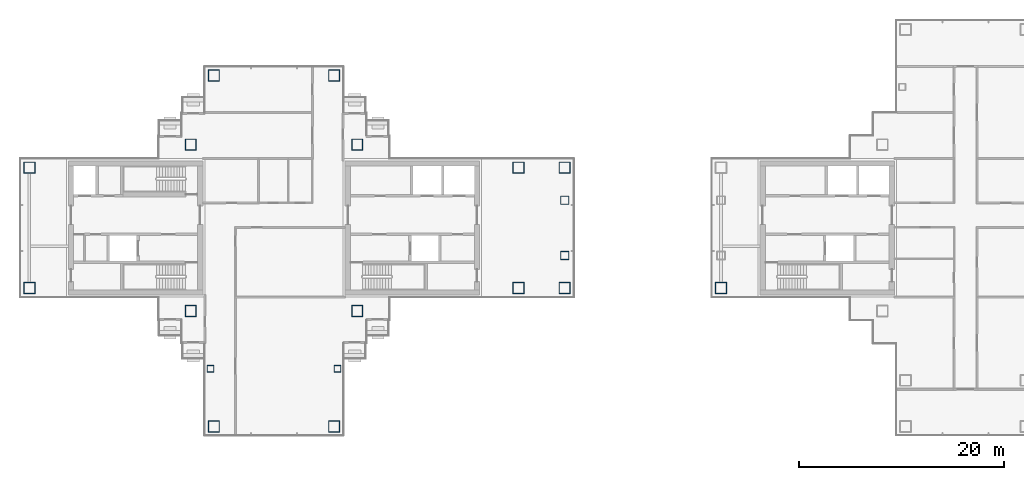
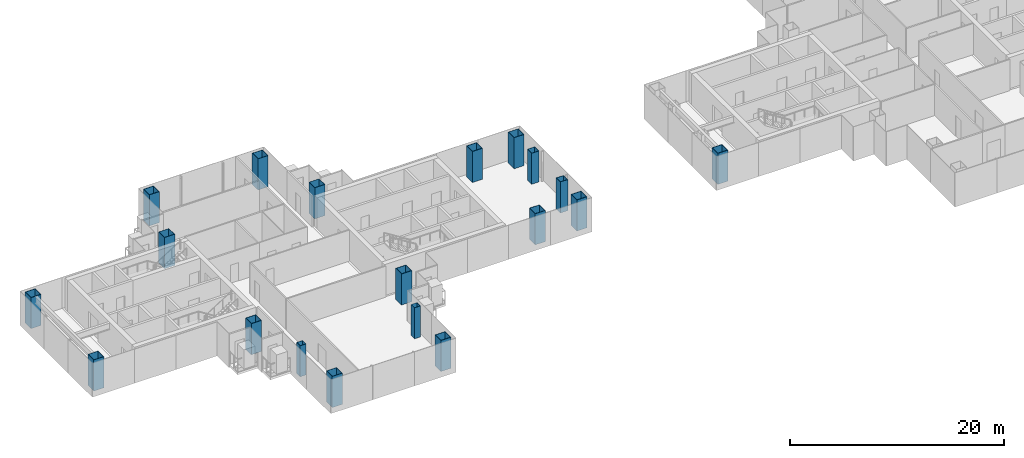
# One storey, part 1 of 16: 19 columns.
"""IFC4 building model written with IfcOpenShell, lengths in metres."""

from ifc_helpers import new_model, si_unit, direction, frame, origin, origin_2d, place, context, subcontext, project, spatial, hollow_rectangle, extrude, material, material_profile, profile_set, type_object, element, save


model = new_model("IFC4")

# Units and contexts
model_context = context("Model", 3, precision=1e-05, world=origin(), true_north=direction((0.0, 1.0)))
body_context = subcontext(model_context, "Body", "Model", "MODEL_VIEW")
ifc_project = project(units=[si_unit("LENGTHUNIT", "METRE"), si_unit("AREAUNIT", "SQUARE_METRE"), si_unit("VOLUMEUNIT", "CUBIC_METRE"), si_unit("PLANEANGLEUNIT", "RADIAN"), si_unit("MASSUNIT", "GRAM", prefix="KILO")], contexts=[model_context])

# Site, building, storey
site_placement = place(None, origin())
site = spatial("IfcSite", under=ifc_project, at=site_placement, CompositionType="ELEMENT")
building_placement = place(site_placement, origin())
building = spatial("IfcBuilding", under=site, at=building_placement, Name="Shamsa Quay Exchange Towers", CompositionType="ELEMENT")
storey_placement = place(building_placement, frame((0.0, 0.0, 150.60009765625)))
storey = spatial("IfcBuildingStorey", under=building, at=storey_placement, Name="L35", CompositionType="ELEMENT", Elevation=150.60009765625)

# Columns
ifc_material_1 = material(Name="Concrete-filled steel tube S355 / C80/95", Category="concrete")
ifc_material_profile_1 = material_profile(ifc_material_1, hollow_rectangle(XDim=1.10009765625, YDim=1.10009765625, WallThickness=0.0400390625, at=origin_2d()), Name="CFT 1100x1100x40")
ifc_profile_set_1 = profile_set([ifc_material_profile_1], Name="Concrete-filled steel tube S355 / C80/95")
column_type_1 = type_object("IfcColumnType", Name="Column CFT 1100x1100x40", PredefinedType="COLUMN", material=ifc_profile_set_1)
for number, where, name in (
    (1, (-25.625, 8.125, 0.0), "Mega column T1-CM01"),
    (2, (-25.625, -8.125, 0.0), "Mega column T1-CM02"),
    (3, (-41.875, 8.125, 0.0), "Mega column T1-CM03"),
    (4, (-41.875, -8.125, 0.0), "Mega column T1-CM04"),
    (5, (-9.875, -5.875, 0.0), "Mega column T1-CM05"),
    (6, (-5.375, -5.875, 0.0), "Mega column T1-CM06"),
    (7, (-9.875, 5.875, 0.0), "Mega column T1-CM07"),
    (8, (-5.375, 5.875, 0.0), "Mega column T1-CM08"),
    (9, (-57.625, -5.875, 0.0), "Mega column T1-CM09"),
    (10, (-57.625, 5.875, 0.0), "Mega column T1-CM11"),
    (11, (-39.625, 14.875, 0.0), "Mega column T1-CM13"),
    (12, (-27.875, 14.875, 0.0), "Mega column T1-CM16"),
    (13, (-39.625, -19.375, 0.0), "Mega column T1-CM20"),
    (14, (-27.875, -19.375, 0.0), "Mega column T1-CM23"),
    (15, (9.875, -5.875, 0.0), "Mega column T2-CM19"),
):
    element("IfcColumn", number, at=place(storey_placement, frame(where)), inside=storey, type_object=column_type_1, Name=name, PredefinedType="COLUMN", context=body_context, shape_type="SweptSolid", body=[
        extrude(hollow_rectangle(XDim=1.10009765625, YDim=1.10009765625, WallThickness=0.0400390625, at=origin_2d()), origin(), (0.0, 0.0, 1.0), 3.5498046875),
    ])
ifc_material_2 = material(Name="Concrete-filled steel tube S355 / C60/75", Category="concrete")
ifc_material_profile_2 = material_profile(ifc_material_2, hollow_rectangle(XDim=0.64990234375, YDim=0.64990234375, WallThickness=0.02001953125, at=origin_2d()), Name="CFT 650x650x20")
ifc_profile_set_2 = profile_set([ifc_material_profile_2], Name="Concrete-filled steel tube S355 / C60/75")
column_type_2 = type_object("IfcColumnType", Name="Column CFT 650x650x20", PredefinedType="COLUMN", material=ifc_profile_set_2)
for number, where, name in (
    (16, (-39.9375, -13.75, 0.0), "Perimeter column T1-CP19"),
    (17, (-27.5625, -13.75, 0.0), "Perimeter column T1-CP22"),
):
    element("IfcColumn", number, at=place(storey_placement, frame(where)), inside=storey, type_object=column_type_2, Name=name, PredefinedType="COLUMN", context=body_context, shape_type="SweptSolid", body=[
        extrude(hollow_rectangle(XDim=0.64990234375, YDim=0.64990234375, WallThickness=0.02001953125, at=origin_2d()), origin(), (0.0, 0.0, 1.0), 3.5498046875),
    ])
ifc_material_3 = material(Name="Concrete-filled steel tube S355 / C70/85", Category="concrete")
ifc_material_profile_3 = material_profile(ifc_material_3, hollow_rectangle(XDim=0.800048828125, YDim=0.800048828125, WallThickness=0.030029296875, at=origin_2d()), Name="CFT 800x800x30")
ifc_profile_set_3 = profile_set([ifc_material_profile_3], Name="Concrete-filled steel tube S355 / C70/85")
column_type_3 = type_object("IfcColumnType", Name="Landing column CFT 800x800x30", PredefinedType="COLUMN", material=ifc_profile_set_3)
for number, where, name in (
    (18, (-5.375, -2.699951171875, 0.0), "Landing column T1 S"),
    (19, (-5.375, 2.699951171875, 0.0), "Landing column T1 N"),
):
    element("IfcColumn", number, at=place(storey_placement, frame(where)), inside=storey, type_object=column_type_3, Name=name, PredefinedType="COLUMN", context=body_context, shape_type="SweptSolid", body=[
        extrude(hollow_rectangle(XDim=0.800048828125, YDim=0.800048828125, WallThickness=0.030029296875, at=origin_2d()), origin(), (0.0, 0.0, 1.0), 3.5498046875),
    ])

save(model, "model.ifc")
